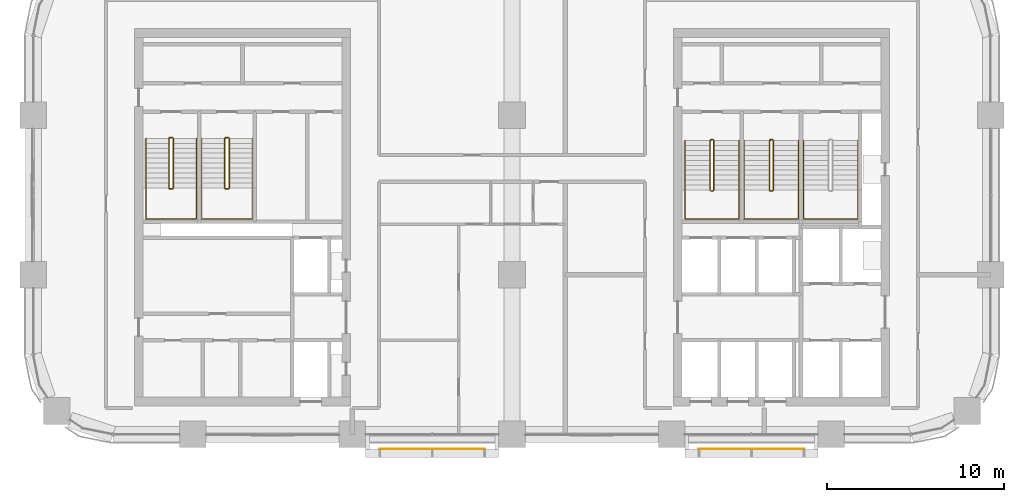
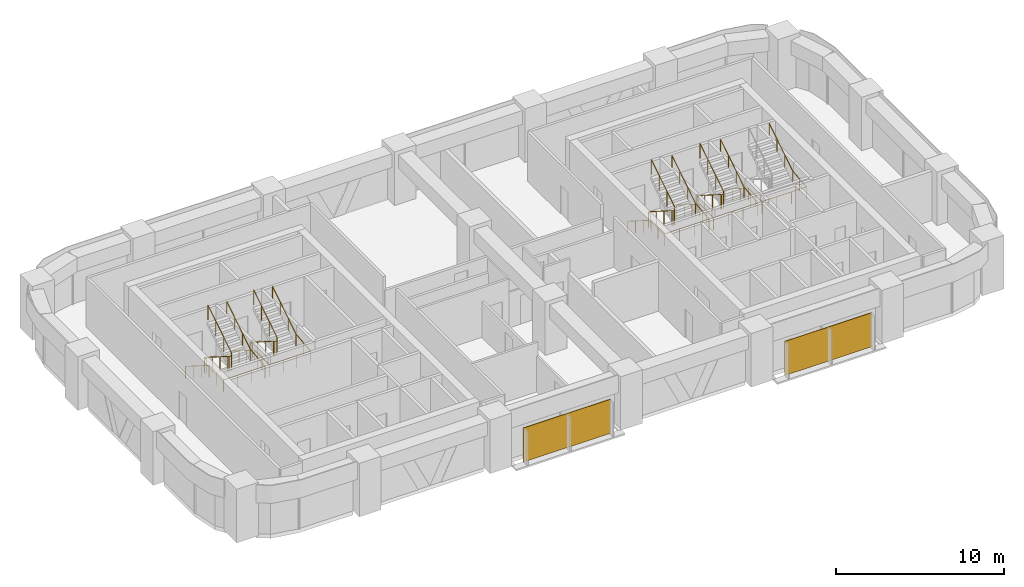
# One storey, part 12 of 13: 9 railings, 2 coverings.
"""IFC4 building model written with IfcOpenShell, lengths in metres."""

from ifc_helpers import new_model, si_unit, direction, frame, origin, origin_2d, place, context, subcontext, project, spatial, rectangle, circle, extrude, material, layer, layer_set, type_object, element, save


model = new_model("IFC4")

# Units and contexts
model_context = context("Model", 3, precision=1e-05, world=origin(), true_north=direction((0.0, 1.0)))
body_context = subcontext(model_context, "Body", "Model", "MODEL_VIEW")
ifc_project = project(units=[si_unit("LENGTHUNIT", "METRE"), si_unit("AREAUNIT", "SQUARE_METRE"), si_unit("VOLUMEUNIT", "CUBIC_METRE"), si_unit("PLANEANGLEUNIT", "RADIAN"), si_unit("MASSUNIT", "GRAM", prefix="KILO")], contexts=[model_context])

# Site, building, storey
site_placement = place(None, origin())
site = spatial("IfcSite", under=ifc_project, at=site_placement, CompositionType="ELEMENT")
building_placement = place(site_placement, origin())
building = spatial("IfcBuilding", under=site, at=building_placement, Name="Tessera Arch", CompositionType="ELEMENT")
storey_placement = place(building_placement, frame((0.0, 0.0, 158.300048828125)))
storey = spatial("IfcBuildingStorey", under=building, at=storey_placement, Name="L37", CompositionType="ELEMENT", Elevation=158.300048828125)

# Coverings
ifc_material_1 = material(Name="Anodised aluminium pale metal", Category="aluminium")
ifc_layer = layer(ifc_material_1, 0.0400390625)
ifc_layer_set = layer_set([ifc_layer], Name="Mashrabiya screen panel")
covering_type = type_object("IfcCoveringType", Name="Mashrabiya screen panel", PredefinedType="CLADDING", material=ifc_layer_set)
for number, where, z_axis, x_axis, name in (
    (1, (22.5, 26.169921875, 0.119873046875), (0.0, 0.0, 1.0), (1.0, 0.0, 0.0), "SCREEN mashrabiya S27.0/2"),
    (2, (40.5, 26.169921875, 0.119873046875), (0.0, 0.0, 1.0), (1.0, 0.0, 0.0), "SCREEN mashrabiya S27.0/4"),
):
    element("IfcCovering", number, at=place(storey_placement, frame(where, z_axis=z_axis, x_axis=x_axis)), inside=storey, type_object=covering_type, Name=name, PredefinedType="CLADDING", context=body_context, shape_type="SweptSolid", body=[
        extrude(rectangle(XDim=6.0, YDim=0.0400390625, at=origin_2d()), origin(), (0.0, 0.0, 1.0), 2.47998046875),
    ])

# Railings
ifc_material_2 = material(Name="Painted steel balustrade", Category="steel")
railing_type_1 = type_object("IfcRailingType", Name="Stair guard 1100", PredefinedType="GUARDRAIL", material=ifc_material_2)
railing_1_placement = place(storey_placement, frame((38.219970703125, 43.6298828125, 0.0)))
element("IfcRailing", 3, at=railing_1_placement, inside=storey, type_object=railing_type_1, Name="L37 S1a stair guard 1", PredefinedType="GUARDRAIL", context=body_context, shape_type="SweptSolid", body=[
    extrude(circle(Radius=0.02392578125, at=origin_2d()), frame((-0.00390625, 0.0, 1.076171875), z_axis=(1.0, 0.0, 0.0), x_axis=(0.0, 1.0, 0.0)), (0.0, 0.0, 1.0), 0.1181640625),
    extrude(circle(Radius=0.02392578125, at=origin_2d()), frame((0.11279296875, 0.000732421875, 1.0732421875), z_axis=(-0.656319048605, -0.204099216335, 0.726353093426), x_axis=(0.296948579431, -0.954893471113, 0.0)), (0.0, 0.0, 1.0), 0.251953125),
    extrude(circle(Radius=0.02392578125, at=origin_2d()), frame((-0.050048828125, -0.04638671875, 1.251220703125), z_axis=(0.0, -0.844908973607, 0.534910110503), x_axis=(1.0, 0.0, 0.0)), (0.0, 0.0, 1.0), 3.322021484375),
    extrude(circle(Radius=0.02392578125, at=origin_2d()), frame((-0.052978515625, -2.846923828125, 3.02587890625), z_axis=(0.707106781187, -0.707106781187, 0.0), x_axis=(0.707106781187, 0.707106781187, 0.0)), (0.0, 0.0, 1.0), 0.078857421875),
    extrude(circle(Radius=0.02392578125, at=origin_2d()), frame((-0.00390625, -2.89990234375, 3.02587890625), z_axis=(1.0, 0.0, 0.0), x_axis=(0.0, 1.0, 0.0)), (0.0, 0.0, 1.0), 0.1181640625),
    extrude(circle(Radius=0.02392578125, at=origin_2d()), frame((0.109130859375, -2.90087890625, 3.022216796875), z_axis=(0.261041864531, 0.262321481514, 0.929001929653), x_axis=(-0.708833529934, 0.705375805398, 0.0)), (0.0, 0.0, 1.0), 0.19873046875),
    extrude(circle(Radius=0.02392578125, at=origin_2d()), frame((0.159912109375, -2.853271484375, 3.201171875), z_axis=(0.0, 0.844908973607, 0.534910110503), x_axis=(-1.0, 0.0, 0.0)), (0.0, 0.0, 1.0), 3.322021484375),
    extrude(circle(Radius=0.02099609375, at=origin_2d()), origin(), (0.0, 0.0, 1.0), 1.06396484375),
    extrude(circle(Radius=0.02099609375, at=origin_2d()), frame((0.110107421875, 0.0, 0.0)), (0.0, 0.0, 1.0), 1.06396484375),
    extrude(circle(Radius=0.02099609375, at=origin_2d()), frame((-0.050048828125, -0.0498046875, 0.17724609375)), (0.0, 0.0, 1.0), 1.06396484375),
    extrude(circle(Radius=0.02099609375, at=origin_2d()), frame((-0.050048828125, -0.983154296875, 0.76806640625)), (0.0, 0.0, 1.0), 1.06396484375),
    extrude(circle(Radius=0.02099609375, at=origin_2d()), frame((-0.050048828125, -1.91650390625, 1.359130859375)), (0.0, 0.0, 1.0), 1.06396484375),
    extrude(circle(Radius=0.02099609375, at=origin_2d()), frame((-0.050048828125, -2.849853515625, 1.949951171875)), (0.0, 0.0, 1.0), 1.06396484375),
    extrude(circle(Radius=0.02099609375, at=origin_2d()), frame((0.0, -2.89990234375, 1.949951171875)), (0.0, 0.0, 1.0), 1.06396484375),
    extrude(circle(Radius=0.02099609375, at=origin_2d()), frame((0.110107421875, -2.89990234375, 1.949951171875)), (0.0, 0.0, 1.0), 1.06396484375),
    extrude(circle(Radius=0.02099609375, at=origin_2d()), frame((0.159912109375, -2.849853515625, 2.127197265625)), (0.0, 0.0, 1.0), 1.06396484375),
    extrude(circle(Radius=0.02099609375, at=origin_2d()), frame((0.159912109375, -1.91650390625, 2.718017578125)), (0.0, 0.0, 1.0), 1.06396484375),
    extrude(circle(Radius=0.02099609375, at=origin_2d()), frame((0.159912109375, -0.983154296875, 3.30908203125)), (0.0, 0.0, 1.0), 1.06396484375),
    extrude(circle(Radius=0.02099609375, at=origin_2d()), frame((0.159912109375, -0.0498046875, 3.89990234375)), (0.0, 0.0, 1.0), 1.06396484375),
])
railing_2_placement = place(storey_placement, frame((41.570068359375, 43.6298828125, 0.0)))
element("IfcRailing", 4, at=railing_2_placement, inside=storey, type_object=railing_type_1, Name="L37 S1b stair guard 1", PredefinedType="GUARDRAIL", context=body_context, shape_type="SweptSolid", body=[
    extrude(circle(Radius=0.02392578125, at=origin_2d()), frame((-0.00390625, 0.0, 1.076171875), z_axis=(1.0, 0.0, 0.0), x_axis=(0.0, 1.0, 0.0)), (0.0, 0.0, 1.0), 0.117919921875),
    extrude(circle(Radius=0.02392578125, at=origin_2d()), frame((0.112548828125, 0.000732421875, 1.0732421875), z_axis=(-0.65574896516, -0.204233265485, 0.726830150696), x_axis=(0.297361876254, -0.954764847777, 0.0)), (0.0, 0.0, 1.0), 0.251953125),
    extrude(circle(Radius=0.02392578125, at=origin_2d()), frame((-0.050048828125, -0.04638671875, 1.251220703125), z_axis=(0.0, -0.844908973607, 0.534910110503), x_axis=(1.0, 0.0, 0.0)), (0.0, 0.0, 1.0), 3.322021484375),
    extrude(circle(Radius=0.02392578125, at=origin_2d()), frame((-0.052978515625, -2.846923828125, 3.02587890625), z_axis=(0.707106781187, -0.707106781187, 0.0), x_axis=(0.707106781187, 0.707106781187, 0.0)), (0.0, 0.0, 1.0), 0.078857421875),
    extrude(circle(Radius=0.02392578125, at=origin_2d()), frame((-0.00390625, -2.89990234375, 3.02587890625), z_axis=(1.0, 0.0, 0.0), x_axis=(0.0, 1.0, 0.0)), (0.0, 0.0, 1.0), 0.117919921875),
    extrude(circle(Radius=0.02392578125, at=origin_2d()), frame((0.10888671875, -2.90087890625, 3.022216796875), z_axis=(0.262233686654, 0.262233686654, 0.928691007369), x_axis=(-0.707106781187, 0.707106781187, 0.0)), (0.0, 0.0, 1.0), 0.198974609375),
    extrude(circle(Radius=0.02392578125, at=origin_2d()), frame((0.159912109375, -2.853271484375, 3.201171875), z_axis=(0.0, 0.844908973607, 0.534910110503), x_axis=(-1.0, 0.0, 0.0)), (0.0, 0.0, 1.0), 3.322021484375),
    extrude(circle(Radius=0.02099609375, at=origin_2d()), origin(), (0.0, 0.0, 1.0), 1.06396484375),
    extrude(circle(Radius=0.02099609375, at=origin_2d()), frame((0.10986328125, 0.0, 0.0)), (0.0, 0.0, 1.0), 1.06396484375),
    extrude(circle(Radius=0.02099609375, at=origin_2d()), frame((-0.050048828125, -0.0498046875, 0.17724609375)), (0.0, 0.0, 1.0), 1.06396484375),
    extrude(circle(Radius=0.02099609375, at=origin_2d()), frame((-0.050048828125, -0.983154296875, 0.76806640625)), (0.0, 0.0, 1.0), 1.06396484375),
    extrude(circle(Radius=0.02099609375, at=origin_2d()), frame((-0.050048828125, -1.91650390625, 1.359130859375)), (0.0, 0.0, 1.0), 1.06396484375),
    extrude(circle(Radius=0.02099609375, at=origin_2d()), frame((-0.050048828125, -2.849853515625, 1.949951171875)), (0.0, 0.0, 1.0), 1.06396484375),
    extrude(circle(Radius=0.02099609375, at=origin_2d()), frame((0.0, -2.89990234375, 1.949951171875)), (0.0, 0.0, 1.0), 1.06396484375),
    extrude(circle(Radius=0.02099609375, at=origin_2d()), frame((0.10986328125, -2.89990234375, 1.949951171875)), (0.0, 0.0, 1.0), 1.06396484375),
    extrude(circle(Radius=0.02099609375, at=origin_2d()), frame((0.159912109375, -2.849853515625, 2.127197265625)), (0.0, 0.0, 1.0), 1.06396484375),
    extrude(circle(Radius=0.02099609375, at=origin_2d()), frame((0.159912109375, -1.91650390625, 2.718017578125)), (0.0, 0.0, 1.0), 1.06396484375),
    extrude(circle(Radius=0.02099609375, at=origin_2d()), frame((0.159912109375, -0.983154296875, 3.30908203125)), (0.0, 0.0, 1.0), 1.06396484375),
    extrude(circle(Radius=0.02099609375, at=origin_2d()), frame((0.159912109375, -0.0498046875, 3.89990234375)), (0.0, 0.0, 1.0), 1.06396484375),
])
railing_3_placement = place(storey_placement, frame((7.699951171875, 43.75, 0.0)))
element("IfcRailing", 5, at=railing_3_placement, inside=storey, type_object=railing_type_1, Name="L37 S2a stair guard 1", PredefinedType="GUARDRAIL", context=body_context, shape_type="SweptSolid", body=[
    extrude(circle(Radius=0.02392578125, at=origin_2d()), frame((-0.00390625, 0.0, 1.076171875), z_axis=(1.0, 0.0, 0.0), x_axis=(0.0, 1.0, 0.0)), (0.0, 0.0, 1.0), 0.158203125),
    extrude(circle(Radius=0.02392578125, at=origin_2d()), frame((0.153076171875, 0.000732421875, 1.073486328125), z_axis=(-0.735936453418, -0.183984113355, 0.651573006319), x_axis=(0.242535625036, -0.970142500145, 0.0)), (0.0, 0.0, 1.0), 0.280029296875),
    extrude(circle(Radius=0.02392578125, at=origin_2d()), frame((-0.050048828125, -0.046630859375, 1.251220703125), z_axis=(0.0, -0.844908973607, 0.534910110503), x_axis=(1.0, 0.0, 0.0)), (0.0, 0.0, 1.0), 3.322021484375),
    extrude(circle(Radius=0.02392578125, at=origin_2d()), frame((-0.052978515625, -2.84716796875, 3.02587890625), z_axis=(0.708833529934, -0.705375805398, 0.0), x_axis=(0.705375805398, 0.708833529934, 0.0)), (0.0, 0.0, 1.0), 0.07861328125),
    extrude(circle(Radius=0.02392578125, at=origin_2d()), frame((-0.00390625, -2.89990234375, 3.02587890625), z_axis=(1.0, 0.0, 0.0), x_axis=(0.0, 1.0, 0.0)), (0.0, 0.0, 1.0), 0.158203125),
    extrude(circle(Radius=0.02392578125, at=origin_2d()), frame((0.149169921875, -2.90087890625, 3.022216796875), z_axis=(0.261129318932, 0.261129318932, 0.929313164433), x_axis=(-0.707106781187, 0.707106781187, 0.0)), (0.0, 0.0, 1.0), 0.19873046875),
    extrude(circle(Radius=0.02392578125, at=origin_2d()), frame((0.199951171875, -2.853515625, 3.201171875), z_axis=(0.0, 0.844908973607, 0.534910110503), x_axis=(-1.0, 0.0, 0.0)), (0.0, 0.0, 1.0), 3.322021484375),
    extrude(circle(Radius=0.02099609375, at=origin_2d()), origin(), (0.0, 0.0, 1.0), 1.06396484375),
    extrude(circle(Radius=0.02099609375, at=origin_2d()), frame((0.150146484375, 0.0, 0.0)), (0.0, 0.0, 1.0), 1.06396484375),
    extrude(circle(Radius=0.02099609375, at=origin_2d()), frame((-0.050048828125, -0.050048828125, 0.17724609375)), (0.0, 0.0, 1.0), 1.06396484375),
    extrude(circle(Radius=0.02099609375, at=origin_2d()), frame((-0.050048828125, -0.9833984375, 0.76806640625)), (0.0, 0.0, 1.0), 1.06396484375),
    extrude(circle(Radius=0.02099609375, at=origin_2d()), frame((-0.050048828125, -1.916748046875, 1.359130859375)), (0.0, 0.0, 1.0), 1.06396484375),
    extrude(circle(Radius=0.02099609375, at=origin_2d()), frame((-0.050048828125, -2.85009765625, 1.949951171875)), (0.0, 0.0, 1.0), 1.06396484375),
    extrude(circle(Radius=0.02099609375, at=origin_2d()), frame((0.0, -2.89990234375, 1.949951171875)), (0.0, 0.0, 1.0), 1.06396484375),
    extrude(circle(Radius=0.02099609375, at=origin_2d()), frame((0.150146484375, -2.89990234375, 1.949951171875)), (0.0, 0.0, 1.0), 1.06396484375),
    extrude(circle(Radius=0.02099609375, at=origin_2d()), frame((0.199951171875, -2.85009765625, 2.127197265625)), (0.0, 0.0, 1.0), 1.06396484375),
    extrude(circle(Radius=0.02099609375, at=origin_2d()), frame((0.199951171875, -1.916748046875, 2.718017578125)), (0.0, 0.0, 1.0), 1.06396484375),
    extrude(circle(Radius=0.02099609375, at=origin_2d()), frame((0.199951171875, -0.9833984375, 3.30908203125)), (0.0, 0.0, 1.0), 1.06396484375),
    extrude(circle(Radius=0.02099609375, at=origin_2d()), frame((0.199951171875, -0.050048828125, 3.89990234375)), (0.0, 0.0, 1.0), 1.06396484375),
])
railing_4_placement = place(storey_placement, frame((10.85009765625, 43.75, 0.0)))
element("IfcRailing", 6, at=railing_4_placement, inside=storey, type_object=railing_type_1, Name="L37 S2b stair guard 1", PredefinedType="GUARDRAIL", context=body_context, shape_type="SweptSolid", body=[
    extrude(circle(Radius=0.02392578125, at=origin_2d()), frame((-0.00390625, 0.0, 1.076171875), z_axis=(1.0, 0.0, 0.0), x_axis=(0.0, 1.0, 0.0)), (0.0, 0.0, 1.0), 0.157958984375),
    extrude(circle(Radius=0.02392578125, at=origin_2d()), frame((0.15283203125, 0.000732421875, 1.073486328125), z_axis=(-0.735524641326, -0.184105679453, 0.652003528208), x_axis=(0.242814311512, -0.970072785993, 0.0)), (0.0, 0.0, 1.0), 0.27978515625),
    extrude(circle(Radius=0.02392578125, at=origin_2d()), frame((-0.050048828125, -0.046630859375, 1.251220703125), z_axis=(0.0, -0.844908973607, 0.534910110503), x_axis=(1.0, 0.0, 0.0)), (0.0, 0.0, 1.0), 3.322021484375),
    extrude(circle(Radius=0.02392578125, at=origin_2d()), frame((-0.052978515625, -2.84716796875, 3.02587890625), z_axis=(0.708833529934, -0.705375805398, 0.0), x_axis=(0.705375805398, 0.708833529934, 0.0)), (0.0, 0.0, 1.0), 0.07861328125),
    extrude(circle(Radius=0.02392578125, at=origin_2d()), frame((-0.00390625, -2.89990234375, 3.02587890625), z_axis=(1.0, 0.0, 0.0), x_axis=(0.0, 1.0, 0.0)), (0.0, 0.0, 1.0), 0.157958984375),
    extrude(circle(Radius=0.02392578125, at=origin_2d()), frame((0.14892578125, -2.90087890625, 3.022216796875), z_axis=(0.262321481514, 0.261041864531, 0.929001929653), x_axis=(-0.705375805398, 0.708833529934, 0.0)), (0.0, 0.0, 1.0), 0.19873046875),
    extrude(circle(Radius=0.02392578125, at=origin_2d()), frame((0.199951171875, -2.853515625, 3.201171875), z_axis=(0.0, 0.844908973607, 0.534910110503), x_axis=(-1.0, 0.0, 0.0)), (0.0, 0.0, 1.0), 3.322021484375),
    extrude(circle(Radius=0.02099609375, at=origin_2d()), origin(), (0.0, 0.0, 1.0), 1.06396484375),
    extrude(circle(Radius=0.02099609375, at=origin_2d()), frame((0.14990234375, 0.0, 0.0)), (0.0, 0.0, 1.0), 1.06396484375),
    extrude(circle(Radius=0.02099609375, at=origin_2d()), frame((-0.050048828125, -0.050048828125, 0.17724609375)), (0.0, 0.0, 1.0), 1.06396484375),
    extrude(circle(Radius=0.02099609375, at=origin_2d()), frame((-0.050048828125, -0.9833984375, 0.76806640625)), (0.0, 0.0, 1.0), 1.06396484375),
    extrude(circle(Radius=0.02099609375, at=origin_2d()), frame((-0.050048828125, -1.916748046875, 1.359130859375)), (0.0, 0.0, 1.0), 1.06396484375),
    extrude(circle(Radius=0.02099609375, at=origin_2d()), frame((-0.050048828125, -2.85009765625, 1.949951171875)), (0.0, 0.0, 1.0), 1.06396484375),
    extrude(circle(Radius=0.02099609375, at=origin_2d()), frame((0.0, -2.89990234375, 1.949951171875)), (0.0, 0.0, 1.0), 1.06396484375),
    extrude(circle(Radius=0.02099609375, at=origin_2d()), frame((0.14990234375, -2.89990234375, 1.949951171875)), (0.0, 0.0, 1.0), 1.06396484375),
    extrude(circle(Radius=0.02099609375, at=origin_2d()), frame((0.199951171875, -2.85009765625, 2.127197265625)), (0.0, 0.0, 1.0), 1.06396484375),
    extrude(circle(Radius=0.02099609375, at=origin_2d()), frame((0.199951171875, -1.916748046875, 2.718017578125)), (0.0, 0.0, 1.0), 1.06396484375),
    extrude(circle(Radius=0.02099609375, at=origin_2d()), frame((0.199951171875, -0.9833984375, 3.30908203125)), (0.0, 0.0, 1.0), 1.06396484375),
    extrude(circle(Radius=0.02099609375, at=origin_2d()), frame((0.199951171875, -0.050048828125, 3.89990234375)), (0.0, 0.0, 1.0), 1.06396484375),
])
ifc_material_3 = material(Name="Painted steel handrail", Category="steel")
railing_type_2 = type_object("IfcRailingType", Name="Stair handrail 900", PredefinedType="HANDRAIL", material=ifc_material_3)
railing_5_placement = place(storey_placement, frame((36.75, 43.580078125, 0.17724609375)))
element("IfcRailing", 7, at=railing_5_placement, inside=storey, type_object=railing_type_2, Name="L37 S1a stair handrail", PredefinedType="HANDRAIL", context=body_context, shape_type="SweptSolid", body=[
    extrude(circle(Radius=0.02392578125, at=origin_2d()), frame((0.0, 0.00341796875, 0.873779296875), z_axis=(0.0, -0.844908973607, 0.534910110503), x_axis=(1.0, 0.0, 0.0)), (0.0, 0.0, 1.0), 3.322021484375),
    extrude(circle(Radius=0.02392578125, at=origin_2d()), frame((0.0, -2.796142578125, 2.6484375), z_axis=(0.0, -1.0, 0.0), x_axis=(1.0, 0.0, 0.0)), (0.0, 0.0, 1.0), 1.63818359375),
    extrude(circle(Radius=0.02392578125, at=origin_2d()), frame((-0.00390625, -4.43017578125, 2.6484375), z_axis=(1.0, 0.0, 0.0), x_axis=(0.0, 1.0, 0.0)), (0.0, 0.0, 1.0), 3.05810546875),
    extrude(circle(Radius=0.02392578125, at=origin_2d()), frame((3.050048828125, -4.43408203125, 2.648193359375), z_axis=(0.0, 0.994140637614, 0.108094369164), x_axis=(-1.0, 0.0, 0.0)), (0.0, 0.0, 1.0), 1.647705078125),
    extrude(circle(Radius=0.02392578125, at=origin_2d()), frame((3.050048828125, -2.803466796875, 2.82373046875), z_axis=(0.0, 0.844908973607, 0.534910110503), x_axis=(-1.0, 0.0, 0.0)), (0.0, 0.0, 1.0), 3.322021484375),
    extrude(circle(Radius=0.02099609375, at=origin_2d()), origin(), (0.0, 0.0, 1.0), 0.86376953125),
    extrude(circle(Radius=0.02099609375, at=origin_2d()), frame((0.0, -0.933349609375, 0.5908203125)), (0.0, 0.0, 1.0), 0.86376953125),
    extrude(circle(Radius=0.02099609375, at=origin_2d()), frame((0.0, -1.86669921875, 1.181884765625)), (0.0, 0.0, 1.0), 0.86376953125),
    extrude(circle(Radius=0.02099609375, at=origin_2d()), frame((0.0, -2.800048828125, 1.772705078125)), (0.0, 0.0, 1.0), 0.86376953125),
    extrude(circle(Radius=0.02099609375, at=origin_2d()), frame((0.0, -3.615234375, 1.772705078125)), (0.0, 0.0, 1.0), 0.86376953125),
    extrude(circle(Radius=0.02099609375, at=origin_2d()), frame((0.0, -4.43017578125, 1.772705078125)), (0.0, 0.0, 1.0), 0.86376953125),
    extrude(circle(Radius=0.02099609375, at=origin_2d()), frame((1.0166015625, -4.43017578125, 1.772705078125)), (0.0, 0.0, 1.0), 0.86376953125),
    extrude(circle(Radius=0.02099609375, at=origin_2d()), frame((2.033447265625, -4.43017578125, 1.772705078125)), (0.0, 0.0, 1.0), 0.86376953125),
    extrude(circle(Radius=0.02099609375, at=origin_2d()), frame((3.050048828125, -4.43017578125, 1.772705078125)), (0.0, 0.0, 1.0), 0.86376953125),
    extrude(circle(Radius=0.02099609375, at=origin_2d()), frame((3.050048828125, -3.615234375, 1.861328125)), (0.0, 0.0, 1.0), 0.86376953125),
    extrude(circle(Radius=0.02099609375, at=origin_2d()), frame((3.050048828125, -2.800048828125, 1.949951171875)), (0.0, 0.0, 1.0), 0.86376953125),
    extrude(circle(Radius=0.02099609375, at=origin_2d()), frame((3.050048828125, -1.86669921875, 2.540771484375)), (0.0, 0.0, 1.0), 0.86376953125),
    extrude(circle(Radius=0.02099609375, at=origin_2d()), frame((3.050048828125, -0.933349609375, 3.1318359375)), (0.0, 0.0, 1.0), 0.86376953125),
    extrude(circle(Radius=0.02099609375, at=origin_2d()), frame((3.050048828125, 0.0, 3.72265625)), (0.0, 0.0, 1.0), 0.86376953125),
])
railing_6_placement = place(storey_placement, frame((40.10009765625, 43.580078125, 0.17724609375)))
element("IfcRailing", 8, at=railing_6_placement, inside=storey, type_object=railing_type_2, Name="L37 S1b stair handrail", PredefinedType="HANDRAIL", context=body_context, shape_type="SweptSolid", body=[
    extrude(circle(Radius=0.02392578125, at=origin_2d()), frame((0.0, 0.00341796875, 0.873779296875), z_axis=(0.0, -0.844908973607, 0.534910110503), x_axis=(1.0, 0.0, 0.0)), (0.0, 0.0, 1.0), 3.322021484375),
    extrude(circle(Radius=0.02392578125, at=origin_2d()), frame((0.0, -2.796142578125, 2.6484375), z_axis=(0.0, -1.0, 0.0), x_axis=(1.0, 0.0, 0.0)), (0.0, 0.0, 1.0), 1.63818359375),
    extrude(circle(Radius=0.02392578125, at=origin_2d()), frame((-0.00390625, -4.43017578125, 2.6484375), z_axis=(1.0, 0.0, 0.0), x_axis=(0.0, 1.0, 0.0)), (0.0, 0.0, 1.0), 3.057861328125),
    extrude(circle(Radius=0.02392578125, at=origin_2d()), frame((3.0498046875, -4.43408203125, 2.648193359375), z_axis=(0.0, 0.994140637614, 0.108094369164), x_axis=(-1.0, 0.0, 0.0)), (0.0, 0.0, 1.0), 1.647705078125),
    extrude(circle(Radius=0.02392578125, at=origin_2d()), frame((3.0498046875, -2.803466796875, 2.82373046875), z_axis=(0.0, 0.844908973607, 0.534910110503), x_axis=(-1.0, 0.0, 0.0)), (0.0, 0.0, 1.0), 3.322021484375),
    extrude(circle(Radius=0.02099609375, at=origin_2d()), origin(), (0.0, 0.0, 1.0), 0.86376953125),
    extrude(circle(Radius=0.02099609375, at=origin_2d()), frame((0.0, -0.933349609375, 0.5908203125)), (0.0, 0.0, 1.0), 0.86376953125),
    extrude(circle(Radius=0.02099609375, at=origin_2d()), frame((0.0, -1.86669921875, 1.181884765625)), (0.0, 0.0, 1.0), 0.86376953125),
    extrude(circle(Radius=0.02099609375, at=origin_2d()), frame((0.0, -2.800048828125, 1.772705078125)), (0.0, 0.0, 1.0), 0.86376953125),
    extrude(circle(Radius=0.02099609375, at=origin_2d()), frame((0.0, -3.615234375, 1.772705078125)), (0.0, 0.0, 1.0), 0.86376953125),
    extrude(circle(Radius=0.02099609375, at=origin_2d()), frame((0.0, -4.43017578125, 1.772705078125)), (0.0, 0.0, 1.0), 0.86376953125),
    extrude(circle(Radius=0.02099609375, at=origin_2d()), frame((1.0166015625, -4.43017578125, 1.772705078125)), (0.0, 0.0, 1.0), 0.86376953125),
    extrude(circle(Radius=0.02099609375, at=origin_2d()), frame((2.033203125, -4.43017578125, 1.772705078125)), (0.0, 0.0, 1.0), 0.86376953125),
    extrude(circle(Radius=0.02099609375, at=origin_2d()), frame((3.0498046875, -4.43017578125, 1.772705078125)), (0.0, 0.0, 1.0), 0.86376953125),
    extrude(circle(Radius=0.02099609375, at=origin_2d()), frame((3.0498046875, -3.615234375, 1.861328125)), (0.0, 0.0, 1.0), 0.86376953125),
    extrude(circle(Radius=0.02099609375, at=origin_2d()), frame((3.0498046875, -2.800048828125, 1.949951171875)), (0.0, 0.0, 1.0), 0.86376953125),
    extrude(circle(Radius=0.02099609375, at=origin_2d()), frame((3.0498046875, -1.86669921875, 2.540771484375)), (0.0, 0.0, 1.0), 0.86376953125),
    extrude(circle(Radius=0.02099609375, at=origin_2d()), frame((3.0498046875, -0.933349609375, 3.1318359375)), (0.0, 0.0, 1.0), 0.86376953125),
    extrude(circle(Radius=0.02099609375, at=origin_2d()), frame((3.0498046875, 0.0, 3.72265625)), (0.0, 0.0, 1.0), 0.86376953125),
])
railing_7_placement = place(storey_placement, frame((43.449951171875, 43.580078125, 0.17724609375)))
element("IfcRailing", 9, at=railing_7_placement, inside=storey, type_object=railing_type_2, Name="L37 S1c stair handrail", PredefinedType="HANDRAIL", context=body_context, shape_type="SweptSolid", body=[
    extrude(circle(Radius=0.02392578125, at=origin_2d()), frame((0.0, 0.00341796875, 0.873779296875), z_axis=(0.0, -0.844908973607, 0.534910110503), x_axis=(1.0, 0.0, 0.0)), (0.0, 0.0, 1.0), 3.322021484375),
    extrude(circle(Radius=0.02392578125, at=origin_2d()), frame((0.0, -2.796142578125, 2.6484375), z_axis=(0.0, -1.0, 0.0), x_axis=(1.0, 0.0, 0.0)), (0.0, 0.0, 1.0), 1.63818359375),
    extrude(circle(Radius=0.02392578125, at=origin_2d()), frame((-0.00390625, -4.43017578125, 2.6484375), z_axis=(1.0, 0.0, 0.0), x_axis=(0.0, 1.0, 0.0)), (0.0, 0.0, 1.0), 3.05810546875),
    extrude(circle(Radius=0.02392578125, at=origin_2d()), frame((3.050048828125, -4.43408203125, 2.648193359375), z_axis=(0.0, 0.994140637614, 0.108094369164), x_axis=(-1.0, 0.0, 0.0)), (0.0, 0.0, 1.0), 1.647705078125),
    extrude(circle(Radius=0.02392578125, at=origin_2d()), frame((3.050048828125, -2.803466796875, 2.82373046875), z_axis=(0.0, 0.844908973607, 0.534910110503), x_axis=(-1.0, 0.0, 0.0)), (0.0, 0.0, 1.0), 3.322021484375),
    extrude(circle(Radius=0.02099609375, at=origin_2d()), origin(), (0.0, 0.0, 1.0), 0.86376953125),
    extrude(circle(Radius=0.02099609375, at=origin_2d()), frame((0.0, -0.933349609375, 0.5908203125)), (0.0, 0.0, 1.0), 0.86376953125),
    extrude(circle(Radius=0.02099609375, at=origin_2d()), frame((0.0, -1.86669921875, 1.181884765625)), (0.0, 0.0, 1.0), 0.86376953125),
    extrude(circle(Radius=0.02099609375, at=origin_2d()), frame((0.0, -2.800048828125, 1.772705078125)), (0.0, 0.0, 1.0), 0.86376953125),
    extrude(circle(Radius=0.02099609375, at=origin_2d()), frame((0.0, -3.615234375, 1.772705078125)), (0.0, 0.0, 1.0), 0.86376953125),
    extrude(circle(Radius=0.02099609375, at=origin_2d()), frame((0.0, -4.43017578125, 1.772705078125)), (0.0, 0.0, 1.0), 0.86376953125),
    extrude(circle(Radius=0.02099609375, at=origin_2d()), frame((1.0166015625, -4.43017578125, 1.772705078125)), (0.0, 0.0, 1.0), 0.86376953125),
    extrude(circle(Radius=0.02099609375, at=origin_2d()), frame((2.033447265625, -4.43017578125, 1.772705078125)), (0.0, 0.0, 1.0), 0.86376953125),
    extrude(circle(Radius=0.02099609375, at=origin_2d()), frame((3.050048828125, -4.43017578125, 1.772705078125)), (0.0, 0.0, 1.0), 0.86376953125),
    extrude(circle(Radius=0.02099609375, at=origin_2d()), frame((3.050048828125, -3.615234375, 1.861328125)), (0.0, 0.0, 1.0), 0.86376953125),
    extrude(circle(Radius=0.02099609375, at=origin_2d()), frame((3.050048828125, -2.800048828125, 1.949951171875)), (0.0, 0.0, 1.0), 0.86376953125),
    extrude(circle(Radius=0.02099609375, at=origin_2d()), frame((3.050048828125, -1.86669921875, 2.540771484375)), (0.0, 0.0, 1.0), 0.86376953125),
    extrude(circle(Radius=0.02099609375, at=origin_2d()), frame((3.050048828125, -0.933349609375, 3.1318359375)), (0.0, 0.0, 1.0), 0.86376953125),
    extrude(circle(Radius=0.02099609375, at=origin_2d()), frame((3.050048828125, 0.0, 3.72265625)), (0.0, 0.0, 1.0), 0.86376953125),
])
railing_8_placement = place(storey_placement, frame((6.35009765625, 43.699951171875, 0.17724609375)))
element("IfcRailing", 10, at=railing_8_placement, inside=storey, type_object=railing_type_2, Name="L37 S2a stair handrail", PredefinedType="HANDRAIL", context=body_context, shape_type="SweptSolid", body=[
    extrude(circle(Radius=0.02392578125, at=origin_2d()), frame((0.0, 0.00341796875, 0.873779296875), z_axis=(0.0, -0.844908973607, 0.534910110503), x_axis=(1.0, 0.0, 0.0)), (0.0, 0.0, 1.0), 3.322021484375),
    extrude(circle(Radius=0.02392578125, at=origin_2d()), frame((0.0, -2.796142578125, 2.6484375), z_axis=(0.0, -1.0, 0.0), x_axis=(1.0, 0.0, 0.0)), (0.0, 0.0, 1.0), 1.758056640625),
    extrude(circle(Radius=0.02392578125, at=origin_2d()), frame((-0.00390625, -4.550048828125, 2.6484375), z_axis=(1.0, 0.0, 0.0), x_axis=(0.0, 1.0, 0.0)), (0.0, 0.0, 1.0), 2.85791015625),
    extrude(circle(Radius=0.02392578125, at=origin_2d()), frame((2.849853515625, -4.553955078125, 2.648193359375), z_axis=(0.0, 0.994909956378, 0.100767944801), x_axis=(-1.0, 0.0, 0.0)), (0.0, 0.0, 1.0), 1.766845703125),
    extrude(circle(Radius=0.02392578125, at=origin_2d()), frame((2.849853515625, -2.803466796875, 2.82373046875), z_axis=(0.0, 0.844908973607, 0.534910110503), x_axis=(-1.0, 0.0, 0.0)), (0.0, 0.0, 1.0), 3.322021484375),
    extrude(circle(Radius=0.02099609375, at=origin_2d()), origin(), (0.0, 0.0, 1.0), 0.86376953125),
    extrude(circle(Radius=0.02099609375, at=origin_2d()), frame((0.0, -0.933349609375, 0.5908203125)), (0.0, 0.0, 1.0), 0.86376953125),
    extrude(circle(Radius=0.02099609375, at=origin_2d()), frame((0.0, -1.86669921875, 1.181884765625)), (0.0, 0.0, 1.0), 0.86376953125),
    extrude(circle(Radius=0.02099609375, at=origin_2d()), frame((0.0, -2.800048828125, 1.772705078125)), (0.0, 0.0, 1.0), 0.86376953125),
    extrude(circle(Radius=0.02099609375, at=origin_2d()), frame((0.0, -3.675048828125, 1.772705078125)), (0.0, 0.0, 1.0), 0.86376953125),
    extrude(circle(Radius=0.02099609375, at=origin_2d()), frame((0.0, -4.550048828125, 1.772705078125)), (0.0, 0.0, 1.0), 0.86376953125),
    extrude(circle(Radius=0.02099609375, at=origin_2d()), frame((0.949951171875, -4.550048828125, 1.772705078125)), (0.0, 0.0, 1.0), 0.86376953125),
    extrude(circle(Radius=0.02099609375, at=origin_2d()), frame((1.89990234375, -4.550048828125, 1.772705078125)), (0.0, 0.0, 1.0), 0.86376953125),
    extrude(circle(Radius=0.02099609375, at=origin_2d()), frame((2.849853515625, -4.550048828125, 1.772705078125)), (0.0, 0.0, 1.0), 0.86376953125),
    extrude(circle(Radius=0.02099609375, at=origin_2d()), frame((2.849853515625, -3.675048828125, 1.861328125)), (0.0, 0.0, 1.0), 0.86376953125),
    extrude(circle(Radius=0.02099609375, at=origin_2d()), frame((2.849853515625, -2.800048828125, 1.949951171875)), (0.0, 0.0, 1.0), 0.86376953125),
    extrude(circle(Radius=0.02099609375, at=origin_2d()), frame((2.849853515625, -1.86669921875, 2.540771484375)), (0.0, 0.0, 1.0), 0.86376953125),
    extrude(circle(Radius=0.02099609375, at=origin_2d()), frame((2.849853515625, -0.933349609375, 3.1318359375)), (0.0, 0.0, 1.0), 0.86376953125),
    extrude(circle(Radius=0.02099609375, at=origin_2d()), frame((2.849853515625, 0.0, 3.72265625)), (0.0, 0.0, 1.0), 0.86376953125),
])
railing_9_placement = place(storey_placement, frame((9.5, 43.699951171875, 0.17724609375)))
element("IfcRailing", 11, at=railing_9_placement, inside=storey, type_object=railing_type_2, Name="L37 S2b stair handrail", PredefinedType="HANDRAIL", context=body_context, shape_type="SweptSolid", body=[
    extrude(circle(Radius=0.02392578125, at=origin_2d()), frame((0.0, 0.00341796875, 0.873779296875), z_axis=(0.0, -0.844908973607, 0.534910110503), x_axis=(1.0, 0.0, 0.0)), (0.0, 0.0, 1.0), 3.322021484375),
    extrude(circle(Radius=0.02392578125, at=origin_2d()), frame((0.0, -2.796142578125, 2.6484375), z_axis=(0.0, -1.0, 0.0), x_axis=(1.0, 0.0, 0.0)), (0.0, 0.0, 1.0), 1.758056640625),
    extrude(circle(Radius=0.02392578125, at=origin_2d()), frame((-0.00390625, -4.550048828125, 2.6484375), z_axis=(1.0, 0.0, 0.0), x_axis=(0.0, 1.0, 0.0)), (0.0, 0.0, 1.0), 2.858154296875),
    extrude(circle(Radius=0.02392578125, at=origin_2d()), frame((2.85009765625, -4.553955078125, 2.648193359375), z_axis=(0.0, 0.994909956378, 0.100767944801), x_axis=(-1.0, 0.0, 0.0)), (0.0, 0.0, 1.0), 1.766845703125),
    extrude(circle(Radius=0.02392578125, at=origin_2d()), frame((2.85009765625, -2.803466796875, 2.82373046875), z_axis=(0.0, 0.844908973607, 0.534910110503), x_axis=(-1.0, 0.0, 0.0)), (0.0, 0.0, 1.0), 3.322021484375),
    extrude(circle(Radius=0.02099609375, at=origin_2d()), origin(), (0.0, 0.0, 1.0), 0.86376953125),
    extrude(circle(Radius=0.02099609375, at=origin_2d()), frame((0.0, -0.933349609375, 0.5908203125)), (0.0, 0.0, 1.0), 0.86376953125),
    extrude(circle(Radius=0.02099609375, at=origin_2d()), frame((0.0, -1.86669921875, 1.181884765625)), (0.0, 0.0, 1.0), 0.86376953125),
    extrude(circle(Radius=0.02099609375, at=origin_2d()), frame((0.0, -2.800048828125, 1.772705078125)), (0.0, 0.0, 1.0), 0.86376953125),
    extrude(circle(Radius=0.02099609375, at=origin_2d()), frame((0.0, -3.675048828125, 1.772705078125)), (0.0, 0.0, 1.0), 0.86376953125),
    extrude(circle(Radius=0.02099609375, at=origin_2d()), frame((0.0, -4.550048828125, 1.772705078125)), (0.0, 0.0, 1.0), 0.86376953125),
    extrude(circle(Radius=0.02099609375, at=origin_2d()), frame((0.949951171875, -4.550048828125, 1.772705078125)), (0.0, 0.0, 1.0), 0.86376953125),
    extrude(circle(Radius=0.02099609375, at=origin_2d()), frame((1.900146484375, -4.550048828125, 1.772705078125)), (0.0, 0.0, 1.0), 0.86376953125),
    extrude(circle(Radius=0.02099609375, at=origin_2d()), frame((2.85009765625, -4.550048828125, 1.772705078125)), (0.0, 0.0, 1.0), 0.86376953125),
    extrude(circle(Radius=0.02099609375, at=origin_2d()), frame((2.85009765625, -3.675048828125, 1.861328125)), (0.0, 0.0, 1.0), 0.86376953125),
    extrude(circle(Radius=0.02099609375, at=origin_2d()), frame((2.85009765625, -2.800048828125, 1.949951171875)), (0.0, 0.0, 1.0), 0.86376953125),
    extrude(circle(Radius=0.02099609375, at=origin_2d()), frame((2.85009765625, -1.86669921875, 2.540771484375)), (0.0, 0.0, 1.0), 0.86376953125),
    extrude(circle(Radius=0.02099609375, at=origin_2d()), frame((2.85009765625, -0.933349609375, 3.1318359375)), (0.0, 0.0, 1.0), 0.86376953125),
    extrude(circle(Radius=0.02099609375, at=origin_2d()), frame((2.85009765625, 0.0, 3.72265625)), (0.0, 0.0, 1.0), 0.86376953125),
])

save(model, "model.ifc")
